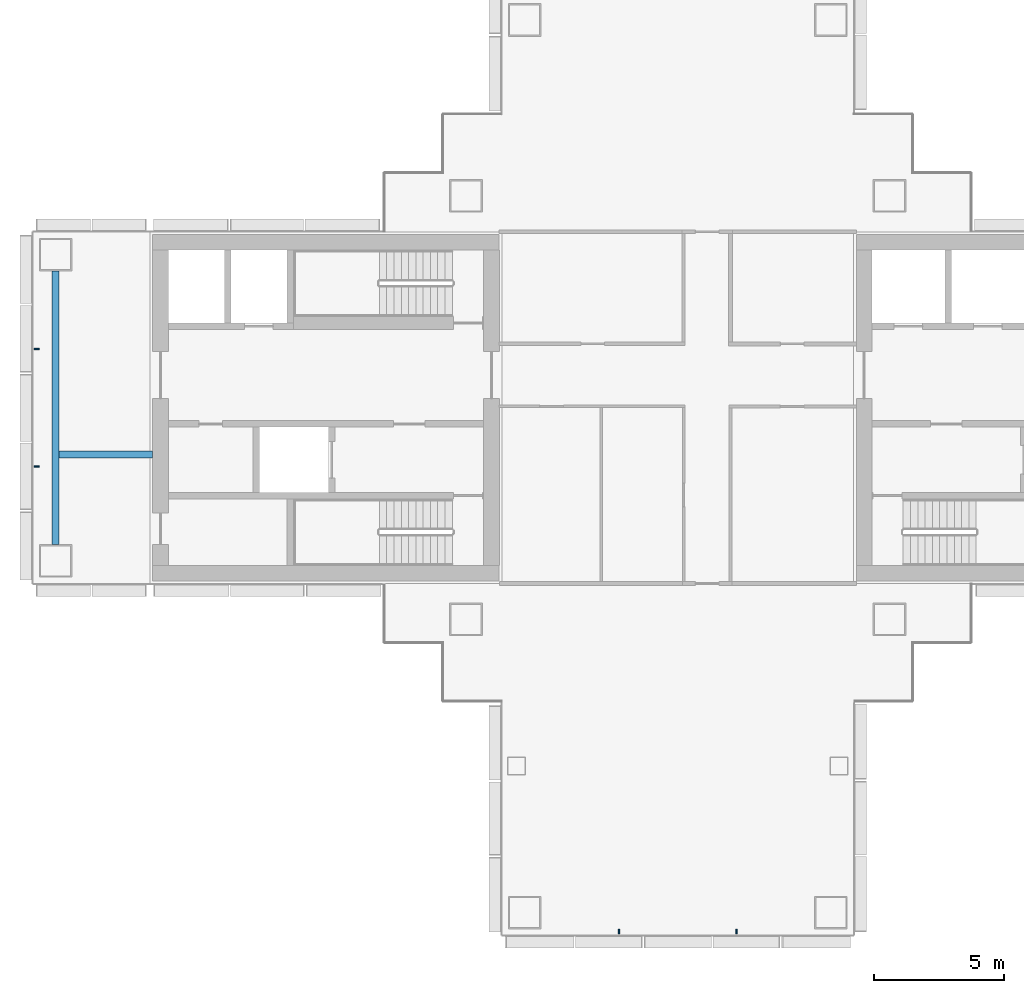
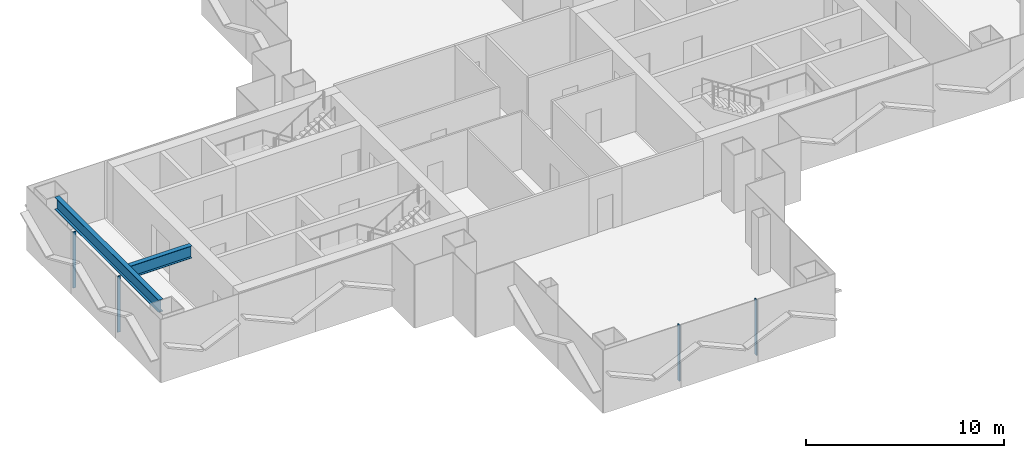
# One storey, part 3 of 18: 4 members, 2 beams, 2 elements without a shape of their own.
"""IFC4 building model written with IfcOpenShell, lengths in metres."""

from ifc_helpers import new_model, si_unit, direction, frame, origin, origin_2d, place, context, subcontext, project, spatial, rectangle, i_section, extrude, material, layer, layer_set, material_profile, profile_set, type_object, element, aggregate, save


model = new_model("IFC4")

# Units and contexts
model_context = context("Model", 3, precision=1e-05, world=origin(), true_north=direction((0.0, 1.0)))
body_context = subcontext(model_context, "Body", "Model", "MODEL_VIEW")
ifc_project = project(units=[si_unit("LENGTHUNIT", "METRE"), si_unit("AREAUNIT", "SQUARE_METRE"), si_unit("VOLUMEUNIT", "CUBIC_METRE"), si_unit("PLANEANGLEUNIT", "RADIAN"), si_unit("MASSUNIT", "GRAM", prefix="KILO")], contexts=[model_context])

# Site, building, storey
site_placement = place(None, origin())
site = spatial("IfcSite", under=ifc_project, at=site_placement, CompositionType="ELEMENT")
building_placement = place(site_placement, origin())
building = spatial("IfcBuilding", under=site, at=building_placement, Name="Shamsa Quay Exchange Towers", CompositionType="ELEMENT")
storey_placement = place(building_placement, frame((0.0, 0.0, 117.0)))
storey = spatial("IfcBuildingStorey", under=building, at=storey_placement, Name="L27", CompositionType="ELEMENT", Elevation=117.0)

# Curtain wall, members
ifc_material_1 = material(Name="Aluminium EN AW-6063 T6, black anodised", Category="aluminium")
ifc_layer = layer(ifc_material_1, 0.280029296875)
ifc_layer_set = layer_set([ifc_layer], Name="CW-1 UNITISED VISION GLASS")
curtain_wall_type = type_object("IfcCurtainWallType", Name="CW-1 UNITISED VISION GLASS", PredefinedType="NOTDEFINED", material=ifc_layer_set)
curtain_wall_1_placement = place(storey_placement, origin())
curtain_wall_1 = element("IfcCurtainWall", 1, at=curtain_wall_1_placement, inside=storey, type_object=curtain_wall_type, Name="CW1 T1-END-V- L27", PredefinedType="NOTDEFINED")
ifc_material_profile_1 = material_profile(ifc_material_1, rectangle(XDim=0.179931640625, YDim=0.06005859375, at=origin_2d()), Name="MU60x180")
ifc_profile_set_1 = profile_set([ifc_material_profile_1], Name="Aluminium EN AW-6063 T6, black anodised")
member_type = type_object("IfcMemberType", Name="CW1 MULLION 60x180", PredefinedType="MULLION", material=ifc_profile_set_1)
member_1_placement = place(storey_placement, frame((-36.0, -20.10009765625, 0.0), z_axis=(0.0, 0.0, 1.0), x_axis=(0.0, 1.0, 0.0)))
member_1 = element("IfcMember", 2, at=member_1_placement, type_object=member_type, Name="CW1 mullion", PredefinedType="MULLION", context=body_context, shape_type="SweptSolid", body=[
    extrude(rectangle(XDim=0.179931640625, YDim=0.06005859375, at=origin_2d()), origin(), (0.0, 0.0, 1.0), 3.449951171875),
])
member_2_placement = place(storey_placement, frame((-31.5, -20.10009765625, 0.0), z_axis=(0.0, 0.0, 1.0), x_axis=(0.0, 1.0, 0.0)))
member_2 = element("IfcMember", 3, at=member_2_placement, type_object=member_type, Name="CW1 mullion", PredefinedType="MULLION", context=body_context, shape_type="SweptSolid", body=[
    extrude(rectangle(XDim=0.179931640625, YDim=0.06005859375, at=origin_2d()), origin(), (0.0, 0.0, 1.0), 3.449951171875),
])
aggregate(curtain_wall_1, [member_1, member_2])

curtain_wall_2_placement = place(storey_placement, origin())
curtain_wall_2 = element("IfcCurtainWall", 4, at=curtain_wall_2_placement, inside=storey, type_object=curtain_wall_type, Name="CW1 T1-END-U- L27", PredefinedType="NOTDEFINED")
member_3_placement = place(storey_placement, frame((-58.35009765625, 2.25, 0.0)))
member_3 = element("IfcMember", 5, at=member_3_placement, type_object=member_type, Name="CW1 mullion", PredefinedType="MULLION", context=body_context, shape_type="SweptSolid", body=[
    extrude(rectangle(XDim=0.179931640625, YDim=0.06005859375, at=origin_2d()), origin(), (0.0, 0.0, 1.0), 3.449951171875),
])
member_4_placement = place(storey_placement, frame((-58.35009765625, -2.25, 0.0)))
member_4 = element("IfcMember", 6, at=member_4_placement, type_object=member_type, Name="CW1 mullion", PredefinedType="MULLION", context=body_context, shape_type="SweptSolid", body=[
    extrude(rectangle(XDim=0.179931640625, YDim=0.06005859375, at=origin_2d()), origin(), (0.0, 0.0, 1.0), 3.449951171875),
])
aggregate(curtain_wall_2, [member_3, member_4])

# Beams
ifc_material_2 = material(Name="Steel S355", Category="steel")
ifc_material_profile_2 = material_profile(ifc_material_2, i_section(OverallWidth=0.26611328125, OverallDepth=0.7578125, WebThickness=0.013916015625, FlangeThickness=0.019287109375, at=origin_2d()), Name="W30x108")
ifc_profile_set_2 = profile_set([ifc_material_profile_2], Name="Steel S355")
beam_type = type_object("IfcBeamType", Name="End-zone beam W30x108", PredefinedType="BEAM", material=ifc_profile_set_2)
beam_1_placement = place(storey_placement, frame((-57.625, -5.25, 3.171142578125), z_axis=(0.0, 1.0, 0.0), x_axis=(-1.0, 0.0, 0.0)))
element("IfcBeam", 7, at=beam_1_placement, inside=storey, type_object=beam_type, Name="End beam T1 U- end zone L27", PredefinedType="BEAM", context=body_context, shape_type="SweptSolid", body=[
    extrude(i_section(OverallWidth=0.26611328125, OverallDepth=0.7578125, WebThickness=0.013916015625, FlangeThickness=0.019287109375, at=origin_2d()), origin(), (0.0, 0.0, 1.0), 10.5),
])
beam_2_placement = place(storey_placement, frame((-53.89990234375, -1.800048828125, 3.171142578125), z_axis=(-1.0, 0.0, 0.0), x_axis=(0.0, -1.0, 0.0)))
element("IfcBeam", 8, at=beam_2_placement, inside=storey, type_object=beam_type, Name="Spine beam T1 U- end zone L27", PredefinedType="BEAM", context=body_context, shape_type="SweptSolid", body=[
    extrude(i_section(OverallWidth=0.26611328125, OverallDepth=0.7578125, WebThickness=0.013916015625, FlangeThickness=0.019287109375, at=origin_2d()), origin(), (0.0, 0.0, 1.0), 3.592041015625),
])

save(model, "model.ifc")
